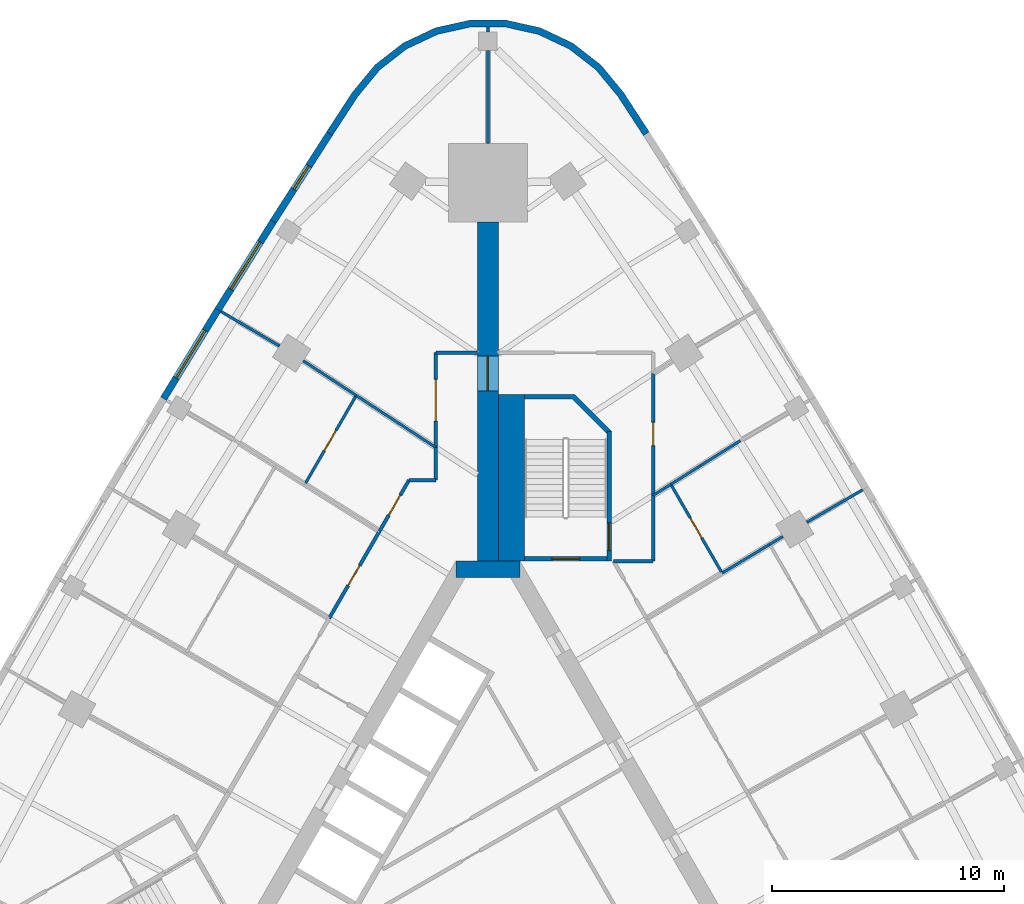
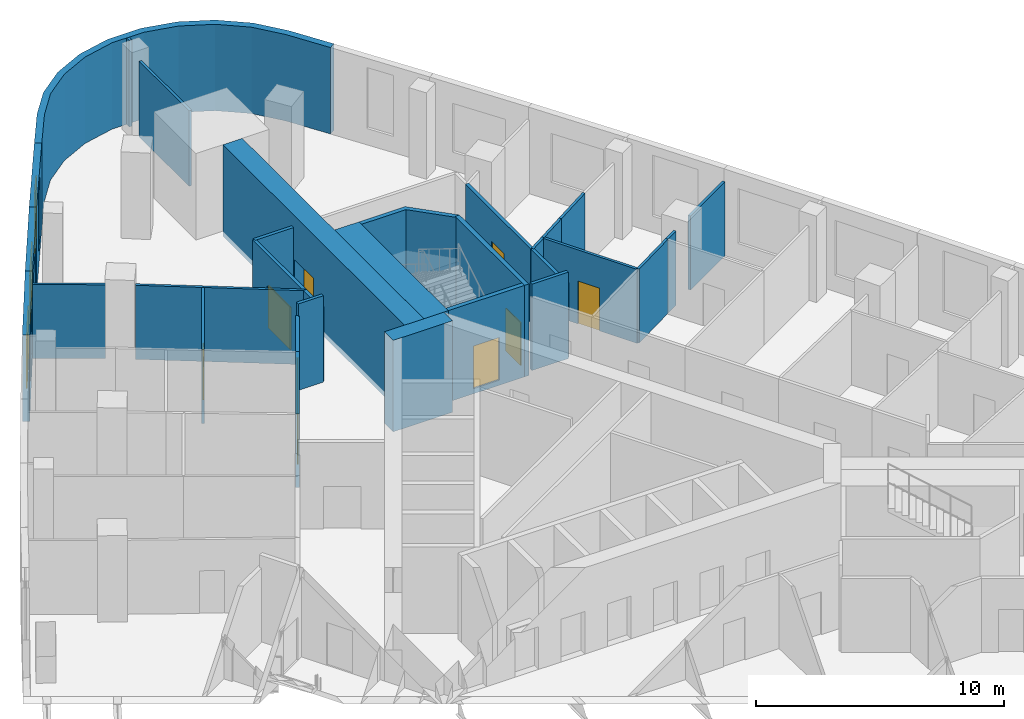
# One storey, part 9 of 11: 32 walls, 9 doors, 3 windows, 12 openings.
"""IFC4 building model written with IfcOpenShell, lengths in metres."""

from ifc_helpers import new_model, si_unit, direction, frame, frame_2d, origin, place, context, subcontext, project, spatial, polyline, rectangle, outline, extrude, material, layer, layer_set, type_object, element, fill, save


model = new_model("IFC4")

# Units and contexts
model_context = context("Model", 3, precision=1e-05, world=origin(), true_north=direction((0.0, 1.0)))
body_context = subcontext(model_context, "Body", "Model", "MODEL_VIEW")
ifc_project = project(units=[si_unit("LENGTHUNIT", "METRE"), si_unit("AREAUNIT", "SQUARE_METRE"), si_unit("VOLUMEUNIT", "CUBIC_METRE"), si_unit("PLANEANGLEUNIT", "RADIAN"), si_unit("MASSUNIT", "GRAM", prefix="KILO")], contexts=[model_context])

# Site, building, storey
site_placement = place(None, origin())
site = spatial("IfcSite", under=ifc_project, at=site_placement, CompositionType="ELEMENT")
building_placement = place(site_placement, origin())
building = spatial("IfcBuilding", under=site, at=building_placement, Name="Noor Cloister Tower", CompositionType="ELEMENT")
storey_placement = place(building_placement, frame((0.0, 0.0, 6.0)))
storey = spatial("IfcBuildingStorey", under=building, at=storey_placement, Name="L01", CompositionType="ELEMENT", Elevation=6.0)

# Wall, opening, door
ifc_material_1 = material(Name="Concrete C80/95", Category="concrete")
ifc_layer_1 = layer(ifc_material_1, 0.89990234375)
ifc_layer_set_1 = layer_set([ifc_layer_1], Name="Buttress wall 900 C80/95")
wall_type_1 = type_object("IfcWallType", Name="Buttress wall 900 C80/95", PredefinedType="SHEAR", material=ifc_layer_set_1)
wall_1_placement = place(storey_placement, frame((0.0, 11.456298828125, -0.25), z_axis=(0.0, 0.0, 1.0), x_axis=(0.0, 1.0, 0.0)))
wall_1 = element("IfcWall", 1, at=wall_1_placement, inside=storey, type_object=wall_type_1, Name="Buttress wall N L01", PredefinedType="SHEAR", context=body_context, shape_type="SweptSolid", body=[
    extrude(rectangle(XDim=14.6328125, YDim=0.89990234375, at=frame_2d((7.31640625, 0.0))), origin(), (0.0, 0.0, 1.0), 4.5),
])
opening_1_placement = place(wall_1_placement, frame((7.35009765625, 0.0, 0.25)))
opening_1 = element("IfcOpeningElement", 2, at=opening_1_placement, cuts=wall_1, Name="Opening L01-034", PredefinedType="OPENING", context=body_context, shape_type="SweptSolid", body=[
    extrude(rectangle(XDim=1.5, YDim=2.10009765625, at=frame_2d((0.75, 1.050048828125))), frame((0.0, 0.4599609375, 0.0), z_axis=(0.0, -1.0, 0.0), x_axis=(1.0, 0.0, 0.0)), (0.0, 0.0, 1.0), 0.919921875),
])
ifc_material_2 = material(Name="Steel fire door", Category="steel")
door_type_1 = type_object("IfcDoorType", Name="Smoke barrier door FD60 1500", OperationType="DOUBLE_DOOR_SINGLE_SWING", PredefinedType="DOOR", material=ifc_material_2)
door_1_placement = place(opening_1_placement, origin())
door_1 = element("IfcDoor", 3, at=door_1_placement, inside=storey, type_object=door_type_1, Name="Door L01-034", OperationType="DOUBLE_DOOR_SINGLE_SWING", OverallHeight=2.10009765625, OverallWidth=1.5, PredefinedType="DOOR", context=body_context, shape_type="SweptSolid", body=[
    extrude(rectangle(XDim=1.5, YDim=2.10009765625, at=frame_2d((0.75, 1.050048828125))), frame((0.0, 0.02490234375, 0.0), z_axis=(0.0, -1.0, 0.0), x_axis=(1.0, 0.0, 0.0)), (0.0, 0.0, 1.0), 0.050048828125),
])
fill(opening_1, door_1)

# Walls
ifc_material_3 = material(Name="Concrete C80/95", Category="concrete")
ifc_layer_2 = layer(ifc_material_3, 0.699951171875)
ifc_layer_set_2 = layer_set([ifc_layer_2], Name="Core wall 700 C80/95")
wall_type_2 = type_object("IfcWallType", Name="Core wall 700 C80/95", PredefinedType="SHEAR", material=ifc_layer_set_2)
wall_2_placement = place(storey_placement, frame((1.3857421875, 11.1064453125, -0.25), z_axis=(0.0, 0.0, 1.0), x_axis=(-1.0, 0.0, 0.0)))
element("IfcWall", 4, at=wall_2_placement, inside=storey, type_object=wall_type_2, Name="Core wall L01 4", PredefinedType="SHEAR", context=body_context, shape_type="SweptSolid", body=[
    extrude(rectangle(XDim=2.771484375, YDim=0.699951171875, at=frame_2d((1.3857421875, 0.0))), origin(), (0.0, 0.0, 1.0), 4.5),
])
ifc_material_4 = material(Name="Plasterboard on steel studs", Category="steel")
ifc_layer_3 = layer(ifc_material_4, 0.14990234375)
ifc_layer_set_3 = layer_set([ifc_layer_3], Name="Corridor wall 150")
wall_type_3 = type_object("IfcWallType", Name="Corridor wall 150", PredefinedType="PARTITIONING", material=ifc_layer_set_3)
wall_3_placement = place(storey_placement, frame((5.427001953125, 11.4560546875, 0.0), z_axis=(0.0, 0.0, 1.0), x_axis=(1.0, 0.0, 0.0)))
element("IfcWall", 5, at=wall_3_placement, inside=storey, type_object=wall_type_3, Name="Partition", PredefinedType="PARTITIONING", context=body_context, shape_type="SweptSolid", body=[
    extrude(rectangle(XDim=1.7080078125, YDim=0.14990234375, at=frame_2d((0.85400390625, 0.0))), origin(), (0.0, 0.0, 1.0), 4.25),
])
wall_4_placement = place(storey_placement, frame((7.135986328125, 11.45703125, 0.0), z_axis=(0.0, 0.0, 1.0), x_axis=(0.0, 1.0, 0.0)))
element("IfcWall", 6, at=wall_4_placement, inside=storey, type_object=wall_type_3, Name="Partition", PredefinedType="PARTITIONING", context=body_context, shape_type="SweptSolid", body=[
    extrude(rectangle(XDim=2.8388671875, YDim=0.14990234375, at=frame_2d((1.41943359375, 0.0))), origin(), (0.0, 0.0, 1.0), 3.637939453125),
])

# Wall, opening, door
wall_5_placement = place(storey_placement, frame((7.135986328125, 14.297119140625, 0.0), z_axis=(0.0, 0.0, 1.0), x_axis=(0.0, 1.0, 0.0)))
wall_5 = element("IfcWall", 7, at=wall_5_placement, inside=storey, type_object=wall_type_3, Name="Partition", PredefinedType="PARTITIONING", context=body_context, shape_type="SweptSolid", body=[
    extrude(rectangle(XDim=5.264892578125, YDim=0.14990234375, at=frame_2d((2.63232421875, 0.0))), origin(), (0.0, 0.0, 1.0), 3.637939453125),
])
opening_2_placement = place(wall_5_placement, frame((2.14990234375, 0.0, 0.0)))
opening_2 = element("IfcOpeningElement", 8, at=opening_2_placement, cuts=wall_5, Name="Opening L01-029", PredefinedType="OPENING", context=body_context, shape_type="SweptSolid", body=[
    extrude(rectangle(XDim=1.0, YDim=2.10009765625, at=frame_2d((0.5, 1.050048828125))), frame((0.0, 0.0849609375, 0.0), z_axis=(0.0, -1.0, 0.0), x_axis=(1.0, 0.0, 0.0)), (0.0, 0.0, 1.0), 0.169921875),
])
ifc_material_5 = material(Name="Timber door leaf", Category="wood")
door_type_2 = type_object("IfcDoorType", Name="Clinic room door 1000", OperationType="SINGLE_SWING_LEFT", PredefinedType="DOOR", material=ifc_material_5)
door_2_placement = place(opening_2_placement, origin())
door_2 = element("IfcDoor", 9, at=door_2_placement, inside=storey, type_object=door_type_2, Name="Door L01-029", OperationType="SINGLE_SWING_LEFT", OverallHeight=2.10009765625, OverallWidth=1.0, PredefinedType="DOOR", context=body_context, shape_type="SweptSolid", body=[
    extrude(rectangle(XDim=1.0, YDim=2.10009765625, at=frame_2d((0.5, 1.050048828125))), frame((0.0, 0.02490234375, 0.0), z_axis=(0.0, -1.0, 0.0), x_axis=(1.0, 0.0, 0.0)), (0.0, 0.0, 1.0), 0.050048828125),
])
fill(opening_2, door_2)

wall_6_placement = place(storey_placement, frame((-6.85791015625, 8.97900390625, 0.0), z_axis=(0.0, 0.0, 1.0), x_axis=(0.500105111742, 0.865964708986, 0.0)))
wall_6 = element("IfcWall", 10, at=wall_6_placement, inside=storey, type_object=wall_type_3, Name="Partition", PredefinedType="PARTITIONING", context=body_context, shape_type="SweptSolid", body=[
    extrude(rectangle(XDim=4.36279296875, YDim=0.14990234375, at=frame_2d((2.181396484375, 0.0))), origin(), (0.0, 0.0, 1.0), 3.637939453125),
])
opening_3_placement = place(wall_6_placement, frame((1.64990234375, 0.0, 0.0)))
opening_3 = element("IfcOpeningElement", 11, at=opening_3_placement, cuts=wall_6, Name="Opening L01-023", PredefinedType="OPENING", context=body_context, shape_type="SweptSolid", body=[
    extrude(rectangle(XDim=1.0, YDim=2.10009765625, at=frame_2d((0.5, 1.050048828125))), frame((0.0, 0.0849609375, 0.0), z_axis=(0.0, -1.0, 0.0), x_axis=(1.0, 0.0, 0.0)), (0.0, 0.0, 1.0), 0.169921875),
])
door_3_placement = place(opening_3_placement, origin())
door_3 = element("IfcDoor", 12, at=door_3_placement, inside=storey, type_object=door_type_2, Name="Door L01-023", OperationType="SINGLE_SWING_LEFT", OverallHeight=2.10009765625, OverallWidth=1.0, PredefinedType="DOOR", context=body_context, shape_type="SweptSolid", body=[
    extrude(rectangle(XDim=1.0, YDim=2.10009765625, at=frame_2d((0.5, 1.050048828125))), frame((0.0, 0.02490234375, 0.0), z_axis=(0.0, -1.0, 0.0), x_axis=(1.0, 0.0, 0.0)), (0.0, 0.0, 1.0), 0.050048828125),
])
fill(opening_3, door_3)

# Walls
wall_7_placement = place(storey_placement, frame((-2.25, 16.365966796875, 0.0), z_axis=(0.0, 0.0, 1.0), x_axis=(0.0, -1.0, 0.0)))
element("IfcWall", 13, at=wall_7_placement, inside=storey, type_object=wall_type_3, Name="Partition", PredefinedType="PARTITIONING", context=body_context, shape_type="SweptSolid", body=[
    extrude(rectangle(XDim=1.409912109375, YDim=0.14990234375, at=frame_2d((0.705078125, 0.0))), origin(), (0.0, 0.0, 1.0), 3.637939453125),
])
wall_8_placement = place(storey_placement, frame((-2.25, 14.9560546875, 0.0), z_axis=(0.0, 0.0, 1.0), x_axis=(-1.0, 0.0, 0.0)))
element("IfcWall", 14, at=wall_8_placement, inside=storey, type_object=wall_type_3, Name="Partition", PredefinedType="PARTITIONING", context=body_context, shape_type="SweptSolid", body=[
    extrude(rectangle(XDim=1.156005859375, YDim=0.14990234375, at=frame_2d((0.578125, 0.0))), origin(), (0.0, 0.0, 1.0), 4.25),
])

# Wall, opening, door
wall_9_placement = place(storey_placement, frame((-3.406005859375, 14.9560546875, 0.0), z_axis=(0.0, 0.0, 1.0), x_axis=(-0.499999364504, -0.866025770688, 0.0)))
wall_9 = element("IfcWall", 15, at=wall_9_placement, inside=storey, type_object=wall_type_3, Name="Partition", PredefinedType="PARTITIONING", context=body_context, shape_type="SweptSolid", body=[
    extrude(rectangle(XDim=2.5439453125, YDim=0.14990234375, at=frame_2d((1.27197265625, 0.0))), origin(), (0.0, 0.0, 1.0), 3.637939453125),
])
opening_4_placement = place(wall_9_placement, frame((0.75, 0.0, 0.0)))
opening_4 = element("IfcOpeningElement", 16, at=opening_4_placement, cuts=wall_9, Name="Opening L01-027", PredefinedType="OPENING", context=body_context, shape_type="SweptSolid", body=[
    extrude(rectangle(XDim=1.0, YDim=2.10009765625, at=frame_2d((0.5, 1.050048828125))), frame((0.0, 0.0849609375, 0.0), z_axis=(0.0, -1.0, 0.0), x_axis=(1.0, 0.0, 0.0)), (0.0, 0.0, 1.0), 0.169921875),
])
door_4_placement = place(opening_4_placement, origin())
door_4 = element("IfcDoor", 17, at=door_4_placement, inside=storey, type_object=door_type_2, Name="Door L01-027", OperationType="SINGLE_SWING_RIGHT", OverallHeight=2.10009765625, OverallWidth=1.0, PredefinedType="DOOR", context=body_context, shape_type="SweptSolid", body=[
    extrude(rectangle(XDim=1.0, YDim=2.10009765625, at=frame_2d((0.5, 1.050048828125))), frame((0.0, 0.02490234375, 0.0), z_axis=(0.0, -1.0, 0.0), x_axis=(1.0, 0.0, 0.0)), (0.0, 0.0, 1.0), 0.050048828125),
])
fill(opening_4, door_4)

# Wall
wall_10_placement = place(storey_placement, frame((-0.449951171875, 20.4560546875, 0.0), z_axis=(0.0, 0.0, 1.0), x_axis=(-1.0, 0.0, 0.0)))
element("IfcWall", 18, at=wall_10_placement, inside=storey, type_object=wall_type_3, Name="Partition", PredefinedType="PARTITIONING", context=body_context, shape_type="SweptSolid", body=[
    extrude(rectangle(XDim=1.800048828125, YDim=0.14990234375, at=frame_2d((0.89990234375, 0.0))), origin(), (0.0, 0.0, 1.0), 3.637939453125),
])

# Wall, opening, door
wall_11_placement = place(storey_placement, frame((-2.25, 20.4560546875, 0.0), z_axis=(0.0, 0.0, 1.0), x_axis=(0.0, -1.0, 0.0)))
wall_11 = element("IfcWall", 19, at=wall_11_placement, inside=storey, type_object=wall_type_3, Name="Partition", PredefinedType="PARTITIONING", context=body_context, shape_type="SweptSolid", body=[
    extrude(rectangle(XDim=4.089111328125, YDim=0.14990234375, at=frame_2d((2.04443359375, 0.0))), origin(), (0.0, 0.0, 1.0), 3.637939453125),
])
opening_5_placement = place(wall_11_placement, frame((1.14990234375, 0.0, 0.0)))
opening_5 = element("IfcOpeningElement", 20, at=opening_5_placement, cuts=wall_11, Name="Opening L01-030", PredefinedType="OPENING", context=body_context, shape_type="SweptSolid", body=[
    extrude(rectangle(XDim=1.800048828125, YDim=2.10009765625, at=frame_2d((0.89990234375, 1.050048828125))), frame((0.0, 0.0849609375, 0.0), z_axis=(0.0, -1.0, 0.0), x_axis=(1.0, 0.0, 0.0)), (0.0, 0.0, 1.0), 0.169921875),
])
ifc_material_6 = material(Name="Timber door leaf", Category="wood")
door_type_3 = type_object("IfcDoorType", Name="Double leaf door 1800", OperationType="DOUBLE_DOOR_SINGLE_SWING", PredefinedType="DOOR", material=ifc_material_6)
door_5_placement = place(opening_5_placement, origin())
door_5 = element("IfcDoor", 21, at=door_5_placement, inside=storey, type_object=door_type_3, Name="Door L01-030", OperationType="DOUBLE_DOOR_SINGLE_SWING", OverallHeight=2.10009765625, OverallWidth=1.800048828125, PredefinedType="DOOR", context=body_context, shape_type="SweptSolid", body=[
    extrude(rectangle(XDim=1.800048828125, YDim=2.10009765625, at=frame_2d((0.89990234375, 1.050048828125))), frame((0.0, 0.02490234375, 0.0), z_axis=(0.0, -1.0, 0.0), x_axis=(1.0, 0.0, 0.0)), (0.0, 0.0, 1.0), 0.050048828125),
])
fill(opening_5, door_5)

# Wall
ifc_material_7 = material(Name="Limestone", Category="masonry")
ifc_layer_4 = layer(ifc_material_7, 0.300048828125)
ifc_layer_set_4 = layer_set([ifc_layer_4], Name="Limestone cladding 300")
wall_type_4 = type_object("IfcWallType", Name="Limestone cladding 300", PredefinedType="NOTDEFINED", material=ifc_layer_set_4)
wall_12_placement = place(storey_placement, origin())
element("IfcWall", 22, at=wall_12_placement, inside=storey, type_object=wall_type_4, Name="Limestone pier cladding L01 3.1", PredefinedType="NOTDEFINED", context=body_context, shape_type="SweptSolid", body=[
    extrude(outline(polyline([(6.96728515625, 29.991943359375), (5.85693359375, 31.69677734375), (4.877685546875, 32.884033203125), (3.662841796875, 33.828369140625), (2.27099609375, 34.484619140625), (0.769287109375, 34.82080078125), (-0.769287109375, 34.82080078125), (-2.27099609375, 34.484619140625), (-3.662841796875, 33.828369140625), (-4.877685546875, 32.884033203125), (-5.85693359375, 31.69677734375), (-6.96728515625, 29.991943359375), (-6.7158203125, 29.828125), (-5.61474609375, 31.51904296875), (-4.667236328125, 32.66748046875), (-3.5048828125, 33.571044921875), (-2.173095703125, 34.198974609375), (-0.736328125, 34.520751953125), (0.736328125, 34.520751953125), (2.173095703125, 34.198974609375), (3.5048828125, 33.571044921875), (4.667236328125, 32.66748046875), (5.61474609375, 31.51904296875), (6.7158203125, 29.828125), (6.96728515625, 29.991943359375)])), origin(), (0.0, 0.0, 1.0), 4.25),
])

# Wall, opening, window
ifc_material_8 = material(Name="Limestone", Category="masonry")
ifc_layer_5 = layer(ifc_material_8, 0.300048828125)
ifc_layer_set_5 = layer_set([ifc_layer_5], Name="Limestone panel wall 300")
wall_type_5 = type_object("IfcWallType", Name="Limestone panel wall 300", PredefinedType="NOTDEFINED", material=ifc_layer_set_5)
wall_13_placement = place(storey_placement, frame((-9.267578125, 26.12353515625, 0.0), z_axis=(0.0, 0.0, 1.0), x_axis=(0.539483537275, 0.841996147859, 0.0)))
wall_13 = element("IfcWall", 23, at=wall_13_placement, inside=storey, type_object=wall_type_5, Name="Limestone wall L01 NW 1", PredefinedType="NOTDEFINED", context=body_context, shape_type="SweptSolid", body=[
    extrude(rectangle(XDim=4.49609375, YDim=0.300048828125, at=frame_2d((2.248046875, 0.0))), origin(), (0.0, 0.0, 1.0), 4.25),
])
opening_6_placement = place(wall_13_placement, frame((1.64794921875, 0.0, 0.800048828125)))
opening_6 = element("IfcOpeningElement", 24, at=opening_6_placement, cuts=wall_13, Name="Opening L01-W01", PredefinedType="OPENING", context=body_context, shape_type="SweptSolid", body=[
    extrude(rectangle(XDim=1.199951171875, YDim=3.0, at=frame_2d((0.60009765625, 1.5))), frame((0.0, 0.16015625, 0.0), z_axis=(0.0, -1.0, 0.0), x_axis=(1.0, 0.0, 0.0)), (0.0, 0.0, 1.0), 0.320068359375),
])
ifc_material_9 = material(Name="Aluminium 6063-T6 anodised", Category="aluminium")
window_type_1 = type_object("IfcWindowType", Name="Lancet window 1200 x 3000", PartitioningType="SINGLE_PANEL", PredefinedType="WINDOW", material=ifc_material_9)
window_1_placement = place(opening_6_placement, origin())
window_1 = element("IfcWindow", 25, at=window_1_placement, inside=storey, type_object=window_type_1, Name="Window L01 1", OverallHeight=3.0, OverallWidth=1.199951171875, PartitioningType="SINGLE_PANEL", PredefinedType="WINDOW", context=body_context, shape_type="SweptSolid", body=[
    extrude(rectangle(XDim=1.199951171875, YDim=3.0, at=frame_2d((0.60009765625, 1.5))), frame((0.0, 0.030029296875, 0.0), z_axis=(0.0, -1.0, 0.0), x_axis=(1.0, 0.0, 0.0)), (0.0, 0.0, 1.0), 0.06005859375),
])
fill(opening_6, window_1)

wall_14_placement = place(storey_placement, frame((-11.6552734375, 22.311279296875, 0.0), z_axis=(0.0, 0.0, 1.0), x_axis=(0.530804082031, 0.847494558389, 0.0)))
wall_14 = element("IfcWall", 26, at=wall_14_placement, inside=storey, type_object=wall_type_5, Name="Limestone wall L01 NW 2", PredefinedType="NOTDEFINED", context=body_context, shape_type="SweptSolid", body=[
    extrude(rectangle(XDim=4.495849609375, YDim=0.300048828125, at=frame_2d((2.248046875, 0.0))), origin(), (0.0, 0.0, 1.0), 4.25),
])
opening_7_placement = place(wall_14_placement, frame((1.048095703125, 0.0, 0.89990234375)))
opening_7 = element("IfcOpeningElement", 27, at=opening_7_placement, cuts=wall_14, Name="Opening L01-W02", PredefinedType="OPENING", context=body_context, shape_type="SweptSolid", body=[
    extrude(rectangle(XDim=2.39990234375, YDim=2.39990234375, at=frame_2d((1.199951171875, 1.199951171875))), frame((0.0, 0.16015625, 0.0), z_axis=(0.0, -1.0, 0.0), x_axis=(1.0, 0.0, 0.0)), (0.0, 0.0, 1.0), 0.320068359375),
])
ifc_material_10 = material(Name="Aluminium 6063-T6 anodised", Category="aluminium")
window_type_2 = type_object("IfcWindowType", Name="Clinic window 2400 x 2400", PartitioningType="DOUBLE_PANEL_VERTICAL", PredefinedType="WINDOW", material=ifc_material_10)
window_2_placement = place(opening_7_placement, origin())
window_2 = element("IfcWindow", 28, at=window_2_placement, inside=storey, type_object=window_type_2, Name="Window L01 2", OverallHeight=2.39990234375, OverallWidth=2.39990234375, PartitioningType="DOUBLE_PANEL_VERTICAL", PredefinedType="WINDOW", context=body_context, shape_type="SweptSolid", body=[
    extrude(rectangle(XDim=2.39990234375, YDim=2.39990234375, at=frame_2d((1.199951171875, 1.199951171875))), frame((0.0, 0.030029296875, 0.0), z_axis=(0.0, -1.0, 0.0), x_axis=(1.0, 0.0, 0.0)), (0.0, 0.0, 1.0), 0.06005859375),
])
fill(opening_7, window_2)

wall_15_placement = place(storey_placement, frame((-14.003662109375, 18.474609375, 0.0), z_axis=(0.0, 0.0, 1.0), x_axis=(0.522078085402, 0.852897691838, 0.0)))
wall_15 = element("IfcWall", 29, at=wall_15_placement, inside=storey, type_object=wall_type_5, Name="Limestone wall L01 NW 3", PredefinedType="NOTDEFINED", context=body_context, shape_type="SweptSolid", body=[
    extrude(rectangle(XDim=4.495849609375, YDim=0.300048828125, at=frame_2d((2.248046875, 0.0))), origin(), (0.0, 0.0, 1.0), 4.25),
])
opening_8_placement = place(wall_15_placement, frame((1.048095703125, 0.0, 0.89990234375)))
opening_8 = element("IfcOpeningElement", 30, at=opening_8_placement, cuts=wall_15, Name="Opening L01-W03", PredefinedType="OPENING", context=body_context, shape_type="SweptSolid", body=[
    extrude(rectangle(XDim=2.39990234375, YDim=2.39990234375, at=frame_2d((1.199951171875, 1.199951171875))), frame((0.0, 0.16015625, 0.0), z_axis=(0.0, -1.0, 0.0), x_axis=(1.0, 0.0, 0.0)), (0.0, 0.0, 1.0), 0.320068359375),
])
window_3_placement = place(opening_8_placement, origin())
window_3 = element("IfcWindow", 31, at=window_3_placement, inside=storey, type_object=window_type_2, Name="Window L01 3", OverallHeight=2.39990234375, OverallWidth=2.39990234375, PartitioningType="DOUBLE_PANEL_VERTICAL", PredefinedType="WINDOW", context=body_context, shape_type="SweptSolid", body=[
    extrude(rectangle(XDim=2.39990234375, YDim=2.39990234375, at=frame_2d((1.199951171875, 1.199951171875))), frame((0.0, 0.030029296875, 0.0), z_axis=(0.0, -1.0, 0.0), x_axis=(1.0, 0.0, 0.0)), (0.0, 0.0, 1.0), 0.06005859375),
])
fill(opening_8, window_3)

# Walls
ifc_material_11 = material(Name="Plasterboard on steel studs", Category="steel")
ifc_layer_6 = layer(ifc_material_11, 0.1201171875)
ifc_layer_set_6 = layer_set([ifc_layer_6], Name="Partition wall 120")
wall_type_6 = type_object("IfcWallType", Name="Partition wall 120", PredefinedType="PARTITIONING", material=ifc_layer_set_6)
wall_16_placement = place(storey_placement, frame((12.1708984375, 12.18408203125, 0.0), z_axis=(0.0, 0.0, 1.0), x_axis=(-0.856451683682, -0.516227191765, 0.0)))
element("IfcWall", 32, at=wall_16_placement, inside=storey, type_object=wall_type_6, Name="Partition", PredefinedType="PARTITIONING", context=body_context, shape_type="SweptSolid", body=[
    extrude(rectangle(XDim=2.40380859375, YDim=0.1201171875, at=frame_2d((1.201904296875, 0.0))), origin(), (0.0, 0.0, 1.0), 3.637939453125),
])
wall_17_placement = place(storey_placement, frame((12.736083984375, 12.52392578125, 0.0), z_axis=(0.0, 0.0, 1.0), x_axis=(-0.856718959006, -0.515783506211, 0.0)))
element("IfcWall", 33, at=wall_17_placement, inside=storey, type_object=wall_type_6, Name="Partition", PredefinedType="PARTITIONING", context=body_context, shape_type="SweptSolid", body=[
    extrude(rectangle(XDim=0.6689453125, YDim=0.1201171875, at=frame_2d((0.33447265625, 0.0))), origin(), (0.0, 0.0, 1.0), 3.637939453125),
])
wall_18_placement = place(storey_placement, frame((16.18310546875, 14.5380859375, 0.0), z_axis=(0.0, 0.0, 1.0), x_axis=(-0.864576979504, -0.50250039454, 0.0)))
element("IfcWall", 34, at=wall_18_placement, inside=storey, type_object=wall_type_6, Name="Partition", PredefinedType="PARTITIONING", context=body_context, shape_type="SweptSolid", body=[
    extrude(rectangle(XDim=2.792236328125, YDim=0.1201171875, at=frame_2d((1.39599609375, 0.0))), origin(), (0.0, 0.0, 1.0), 3.633056640625),
])

# Wall, opening, door
wall_19_placement = place(storey_placement, frame((10.110107421875, 10.943115234375, 0.0), z_axis=(0.0, 0.0, 1.0), x_axis=(-0.49990879683, 0.866078053556, 0.0)))
wall_19 = element("IfcWall", 35, at=wall_19_placement, inside=storey, type_object=wall_type_6, Name="Partition", PredefinedType="PARTITIONING", context=body_context, shape_type="SweptSolid", body=[
    extrude(rectangle(XDim=4.423095703125, YDim=0.1201171875, at=frame_2d((2.21142578125, 0.0))), origin(), (0.0, 0.0, 1.0), 3.637939453125),
])
opening_9_placement = place(wall_19_placement, frame((1.75, 0.0, 0.0)))
opening_9 = element("IfcOpeningElement", 36, at=opening_9_placement, cuts=wall_19, Name="Opening L01-025", PredefinedType="OPENING", context=body_context, shape_type="SweptSolid", body=[
    extrude(rectangle(XDim=1.0, YDim=2.10009765625, at=frame_2d((0.5, 1.050048828125))), frame((0.0, 0.070068359375, 0.0), z_axis=(0.0, -1.0, 0.0), x_axis=(1.0, 0.0, 0.0)), (0.0, 0.0, 1.0), 0.14013671875),
])
door_6_placement = place(opening_9_placement, origin())
door_6 = element("IfcDoor", 37, at=door_6_placement, inside=storey, type_object=door_type_2, Name="Door L01-025", OperationType="SINGLE_SWING_LEFT", OverallHeight=2.10009765625, OverallWidth=1.0, PredefinedType="DOOR", context=body_context, shape_type="SweptSolid", body=[
    extrude(rectangle(XDim=1.0, YDim=2.10009765625, at=frame_2d((0.5, 1.050048828125))), frame((0.0, 0.02490234375, 0.0), z_axis=(0.0, -1.0, 0.0), x_axis=(1.0, 0.0, 0.0)), (0.0, 0.0, 1.0), 0.050048828125),
])
fill(opening_9, door_6)

# Walls
wall_20_placement = place(storey_placement, frame((7.89892578125, 14.77392578125, 0.0), z_axis=(0.0, 0.0, 1.0), x_axis=(-0.847402109943, -0.530951658877, 0.0)))
element("IfcWall", 38, at=wall_20_placement, inside=storey, type_object=wall_type_6, Name="Partition", PredefinedType="PARTITIONING", context=body_context, shape_type="SweptSolid", body=[
    extrude(rectangle(XDim=0.89794921875, YDim=0.1201171875, at=frame_2d((0.448974609375, 0.0))), origin(), (0.0, 0.0, 1.0), 3.637939453125),
])
wall_21_placement = place(storey_placement, frame((10.89794921875, 16.657958984375, 0.0), z_axis=(0.0, 0.0, 1.0), x_axis=(-0.846907532623, -0.531740191435, 0.0)))
element("IfcWall", 39, at=wall_21_placement, inside=storey, type_object=wall_type_6, Name="Partition", PredefinedType="PARTITIONING", context=body_context, shape_type="SweptSolid", body=[
    extrude(rectangle(XDim=2.040283203125, YDim=0.1201171875, at=frame_2d((1.02001953125, 0.0))), origin(), (0.0, 0.0, 1.0), 3.637939453125),
])
wall_22_placement = place(storey_placement, frame((9.169921875, 15.572021484375, 0.0), z_axis=(0.0, 0.0, 1.0), x_axis=(-0.846881470123, -0.531781699161, 0.0)))
element("IfcWall", 40, at=wall_22_placement, inside=storey, type_object=wall_type_6, Name="Partition", PredefinedType="PARTITIONING", context=body_context, shape_type="SweptSolid", body=[
    extrude(rectangle(XDim=1.500732421875, YDim=0.1201171875, at=frame_2d((0.75048828125, 0.0))), origin(), (0.0, 0.0, 1.0), 3.637939453125),
])

# Wall, opening, door
wall_23_placement = place(storey_placement, frame((-5.68408203125, 18.611083984375, 0.0), z_axis=(0.0, 0.0, 1.0), x_axis=(-0.500099413844, -0.865967999567, 0.0)))
wall_23 = element("IfcWall", 41, at=wall_23_placement, inside=storey, type_object=wall_type_6, Name="Partition", PredefinedType="PARTITIONING", context=body_context, shape_type="SweptSolid", body=[
    extrude(rectangle(XDim=4.4287109375, YDim=0.1201171875, at=frame_2d((2.21435546875, 0.0))), origin(), (0.0, 0.0, 1.0), 3.637939453125),
])
opening_10_placement = place(wall_23_placement, frame((1.75, 0.0, 0.0)))
opening_10 = element("IfcOpeningElement", 42, at=opening_10_placement, cuts=wall_23, Name="Opening L01-028", PredefinedType="OPENING", context=body_context, shape_type="SweptSolid", body=[
    extrude(rectangle(XDim=1.0, YDim=2.10009765625, at=frame_2d((0.5, 1.050048828125))), frame((0.0, 0.070068359375, 0.0), z_axis=(0.0, -1.0, 0.0), x_axis=(1.0, 0.0, 0.0)), (0.0, 0.0, 1.0), 0.14013671875),
])
door_7_placement = place(opening_10_placement, origin())
door_7 = element("IfcDoor", 43, at=door_7_placement, inside=storey, type_object=door_type_2, Name="Door L01-028", OperationType="SINGLE_SWING_LEFT", OverallHeight=2.10009765625, OverallWidth=1.0, PredefinedType="DOOR", context=body_context, shape_type="SweptSolid", body=[
    extrude(rectangle(XDim=1.0, YDim=2.10009765625, at=frame_2d((0.5, 1.050048828125))), frame((0.0, 0.02490234375, 0.0), z_axis=(0.0, -1.0, 0.0), x_axis=(1.0, 0.0, 0.0)), (0.0, 0.0, 1.0), 0.050048828125),
])
fill(opening_10, door_7)

# Walls
wall_24_placement = place(storey_placement, frame((-2.251953125, 16.366943359375, 0.0), z_axis=(0.0, 0.0, 1.0), x_axis=(-0.836925574982, 0.547316710819, 0.0)))
element("IfcWall", 44, at=wall_24_placement, inside=storey, type_object=wall_type_6, Name="Partition", PredefinedType="PARTITIONING", context=body_context, shape_type="SweptSolid", body=[
    extrude(rectangle(XDim=4.10205078125, YDim=0.1201171875, at=frame_2d((2.051025390625, 0.0))), origin(), (0.0, 0.0, 1.0), 3.637939453125),
])
wall_25_placement = place(storey_placement, frame((-8.991943359375, 20.742919921875, 0.0), z_axis=(0.0, 0.0, 1.0), x_axis=(-0.861228913487, 0.508217235613, 0.0)))
element("IfcWall", 45, at=wall_25_placement, inside=storey, type_object=wall_type_6, Name="Partition", PredefinedType="PARTITIONING", context=body_context, shape_type="SweptSolid", body=[
    extrude(rectangle(XDim=2.93994140625, YDim=0.1201171875, at=frame_2d((1.469970703125, 0.0))), origin(), (0.0, 0.0, 1.0), 3.633056640625),
])
wall_26_placement = place(storey_placement, frame((-5.68505859375, 18.612060546875, 0.0), z_axis=(0.0, 0.0, 1.0), x_axis=(-0.836813840242, 0.547487531163, 0.0)))
element("IfcWall", 46, at=wall_26_placement, inside=storey, type_object=wall_type_6, Name="Partition", PredefinedType="PARTITIONING", context=body_context, shape_type="SweptSolid", body=[
    extrude(rectangle(XDim=2.73388671875, YDim=0.1201171875, at=frame_2d((1.366943359375, 0.0))), origin(), (0.0, 0.0, 1.0), 3.637939453125),
])
wall_27_placement = place(storey_placement, frame((0.0, 29.489013671875, 0.0), z_axis=(0.0, 0.0, 1.0), x_axis=(0.0, 1.0, 0.0)))
element("IfcWall", 47, at=wall_27_placement, inside=storey, type_object=wall_type_6, Name="Partition", PredefinedType="PARTITIONING", context=body_context, shape_type="SweptSolid", body=[
    extrude(rectangle(XDim=4.02392578125, YDim=0.1201171875, at=frame_2d((2.011962890625, 0.0))), origin(), (0.0, 0.0, 1.0), 3.717041015625),
])
wall_28_placement = place(storey_placement, frame((0.0, 34.31298828125, 0.0), z_axis=(0.0, 0.0, 1.0), x_axis=(0.0, 1.0, 0.0)))
element("IfcWall", 48, at=wall_28_placement, inside=storey, type_object=wall_type_6, Name="Partition", PredefinedType="PARTITIONING", context=body_context, shape_type="SweptSolid", body=[
    extrude(rectangle(XDim=0.2080078125, YDim=0.1201171875, at=frame_2d((0.10400390625, 0.0))), origin(), (0.0, 0.0, 1.0), 4.25),
])
ifc_material_12 = material(Name="Concrete C80/95", Category="concrete")
ifc_layer_7 = layer(ifc_material_12, 1.135986328125)
ifc_layer_set_7 = layer_set([ifc_layer_7], Name="Stair enclosure wall 1136 C80/95")
wall_type_7 = type_object("IfcWallType", Name="Stair enclosure wall 1136 C80/95", PredefinedType="SHEAR", material=ifc_layer_set_7)
wall_29_placement = place(storey_placement, frame((1.017822265625, 11.456298828125, -0.25), z_axis=(0.0, 0.0, 1.0), x_axis=(0.0, 1.0, 0.0)))
element("IfcWall", 49, at=wall_29_placement, inside=storey, type_object=wall_type_7, Name="Stair enclosure wall ST1 L01 riser side", PredefinedType="SHEAR", context=body_context, shape_type="SweptSolid", body=[
    extrude(rectangle(XDim=7.2001953125, YDim=1.1357421875, at=frame_2d((3.60009765625, 0.0))), origin(), (0.0, 0.0, 1.0), 4.5),
])

# Wall, opening, door
ifc_material_13 = material(Name="Concrete C80/95", Category="concrete")
ifc_layer_8 = layer(ifc_material_13, 0.199951171875)
ifc_layer_set_8 = layer_set([ifc_layer_8], Name="Stair enclosure wall 200 C80/95")
wall_type_8 = type_object("IfcWallType", Name="Stair enclosure wall 200 C80/95", PredefinedType="SHEAR", material=ifc_layer_set_8)
wall_30_placement = place(storey_placement, frame((5.135498046875, 11.556396484375, -0.25), z_axis=(0.0, 0.0, 1.0), x_axis=(-1.0, 0.0, 0.0)))
wall_30 = element("IfcWall", 50, at=wall_30_placement, inside=storey, type_object=wall_type_8, Name="Stair enclosure wall ST1 L01 near end", PredefinedType="SHEAR", context=body_context, shape_type="SweptSolid", body=[
    extrude(rectangle(XDim=3.5498046875, YDim=0.199951171875, at=frame_2d((1.77490234375, 0.0))), origin(), (0.0, 0.0, 1.0), 4.5),
])
opening_11_placement = place(wall_30_placement, frame((1.175048828125, 0.0, 0.25)))
opening_11 = element("IfcOpeningElement", 51, at=opening_11_placement, cuts=wall_30, Name="Opening L01-ST1L", PredefinedType="OPENING", context=body_context, shape_type="SweptSolid", body=[
    extrude(rectangle(XDim=1.199951171875, YDim=2.10009765625, at=frame_2d((0.60009765625, 1.050048828125))), frame((0.0, 0.10986328125, 0.0), z_axis=(0.0, -1.0, 0.0), x_axis=(1.0, 0.0, 0.0)), (0.0, 0.0, 1.0), 0.219970703125),
])
ifc_material_14 = material(Name="Steel", Category="steel")
door_type_4 = type_object("IfcDoorType", Name="Stair door 1200 x 2100 FD120", OperationType="SINGLE_SWING_LEFT", PredefinedType="DOOR", material=ifc_material_14)
door_8_placement = place(opening_11_placement, origin())
door_8 = element("IfcDoor", 52, at=door_8_placement, inside=storey, type_object=door_type_4, Name="Stair door ST1 L01", OperationType="SINGLE_SWING_RIGHT", OverallHeight=2.10009765625, OverallWidth=1.199951171875, PredefinedType="DOOR", context=body_context, shape_type="SweptSolid", body=[
    extrude(rectangle(XDim=1.199951171875, YDim=2.10009765625, at=frame_2d((0.60009765625, 1.050048828125))), frame((0.0, 0.02490234375, 0.0), z_axis=(0.0, -1.0, 0.0), x_axis=(1.0, 0.0, 0.0)), (0.0, 0.0, 1.0), 0.050048828125),
])
fill(opening_11, door_8)

wall_31_placement = place(storey_placement, frame((5.235595703125, 11.456298828125, -0.25), z_axis=(0.0, 0.0, 1.0), x_axis=(0.0, 1.0, 0.0)))
wall_31 = element("IfcWall", 53, at=wall_31_placement, inside=storey, type_object=wall_type_8, Name="Stair enclosure wall ST1 L01 outer side", PredefinedType="SHEAR", context=body_context, shape_type="SweptSolid", body=[
    extrude(rectangle(XDim=5.60009765625, YDim=0.199951171875, at=frame_2d((2.800048828125, 0.0))), origin(), (0.0, 0.0, 1.0), 4.5),
])
opening_12_placement = place(wall_31_placement, frame((0.449951171875, 0.0, 0.25)))
opening_12 = element("IfcOpeningElement", 54, at=opening_12_placement, cuts=wall_31, Name="Opening L01-ST1C", PredefinedType="OPENING", context=body_context, shape_type="SweptSolid", body=[
    extrude(rectangle(XDim=1.199951171875, YDim=2.10009765625, at=frame_2d((0.60009765625, 1.050048828125))), frame((0.0, 0.10986328125, 0.0), z_axis=(0.0, -1.0, 0.0), x_axis=(1.0, 0.0, 0.0)), (0.0, 0.0, 1.0), 0.219970703125),
])
door_9_placement = place(opening_12_placement, origin())
door_9 = element("IfcDoor", 55, at=door_9_placement, inside=storey, type_object=door_type_4, Name="Stair door ST1 L01", OperationType="SINGLE_SWING_LEFT", OverallHeight=2.10009765625, OverallWidth=1.199951171875, PredefinedType="DOOR", context=body_context, shape_type="SweptSolid", body=[
    extrude(rectangle(XDim=1.199951171875, YDim=2.10009765625, at=frame_2d((0.60009765625, 1.050048828125))), frame((0.0, 0.02490234375, 0.0), z_axis=(0.0, -1.0, 0.0), x_axis=(1.0, 0.0, 0.0)), (0.0, 0.0, 1.0), 0.050048828125),
])
fill(opening_12, door_9)

# Wall
ifc_material_15 = material(Name="Concrete C80/95", Category="concrete")
wall_type_9 = type_object("IfcWallType", Name="Stair far end wall C80/95", PredefinedType="SHEAR", material=ifc_material_15)
wall_32_placement = place(storey_placement, frame((0.0, 0.0, -0.25)))
element("IfcWall", 56, at=wall_32_placement, inside=storey, type_object=wall_type_9, Name="Stair enclosure wall ST1 L01 far end", PredefinedType="SHEAR", context=body_context, shape_type="SweptSolid", body=[
    extrude(outline(polyline([(5.335693359375, 17.056396484375), (3.735595703125, 18.656494140625), (1.585693359375, 18.656494140625), (1.585693359375, 18.456298828125), (3.65283203125, 18.456298828125), (5.135498046875, 16.9736328125), (5.135498046875, 17.056396484375), (5.135498046875, 17.056396484375), (5.135498046875, 17.056396484375), (5.135498046875, 17.056396484375), (5.135498046875, 17.056396484375), (5.135498046875, 17.056396484375), (5.135498046875, 17.056396484375), (5.135498046875, 17.056396484375), (5.135498046875, 17.056396484375), (5.135498046875, 17.056396484375), (5.135498046875, 17.056396484375), (5.135498046875, 17.056396484375), (5.135498046875, 17.056396484375), (5.135498046875, 17.056396484375), (5.135498046875, 17.056396484375), (5.135498046875, 17.056396484375), (5.135498046875, 17.056396484375), (5.335693359375, 17.056396484375)])), origin(), (0.0, 0.0, 1.0), 4.5),
])

save(model, "model.ifc")
